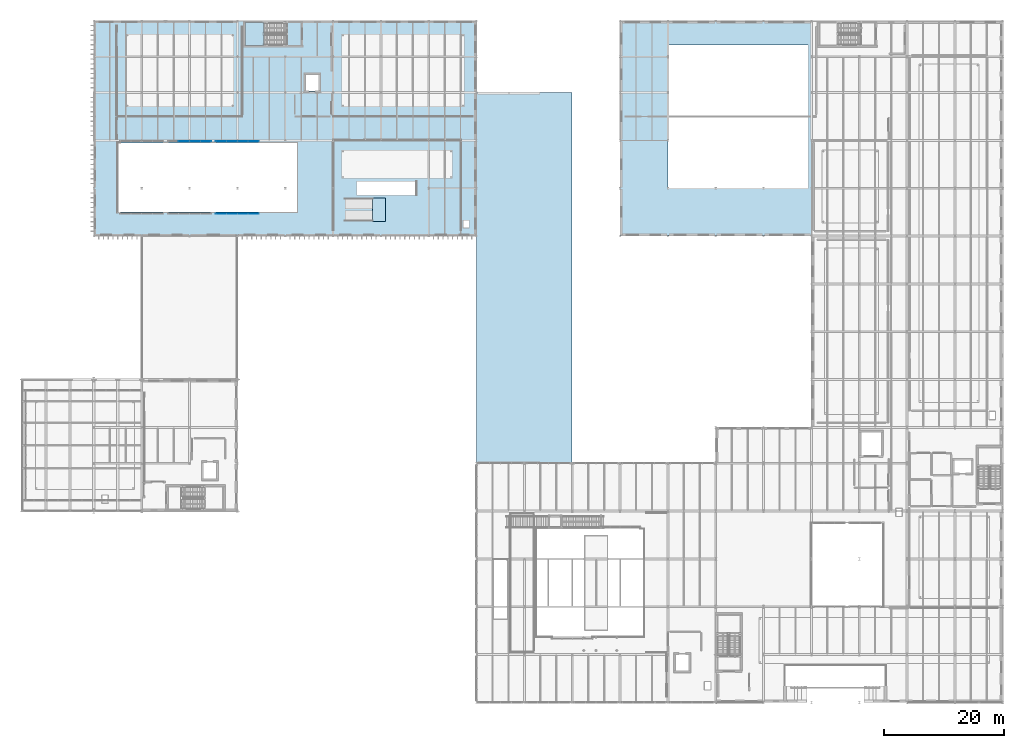
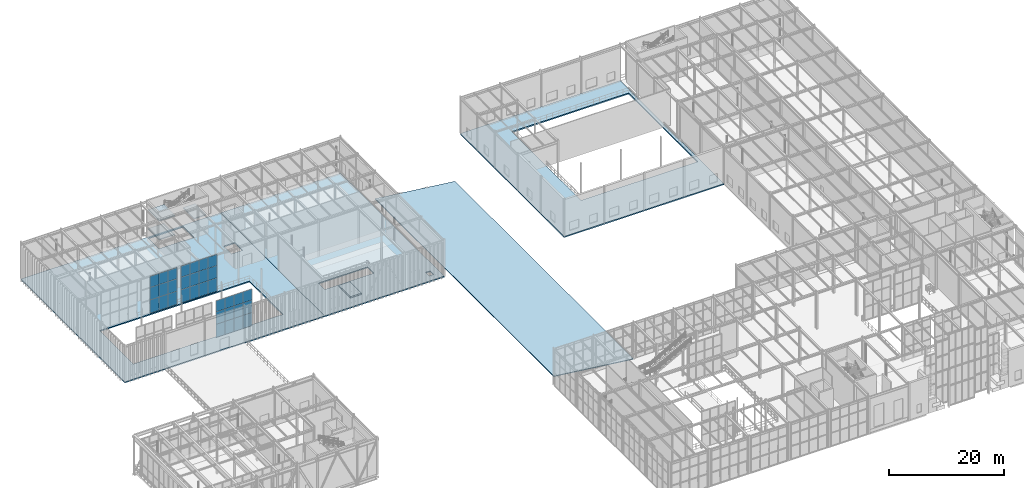
# One storey, part 78 of 138: 33 plates, 8 slabs, 6 elements without a shape of their own.
"""IFC4 building model written with IfcOpenShell, lengths in metres."""

import ifcopenshell
import ifcopenshell.guid

model = None  # the IFC model being written
_history = None  # IfcOwnerHistory: only IFC2X3 demands one
_inside = {}  # id of a spatial element -> (the spatial element, [elements in it])
_under = {}  # id of a project, library or spatial element -> (it, [spatial elements below it])
_declared = {}  # id of a project -> (the project, [libraries it declares])
_typed = {}  # id of a type object -> (the type object, [elements of that type])
_made_of = {}  # id of a material, layer set ... -> (it, [elements and type objects made of it])


def new_model(schema):
    """Start an empty IFC model of exactly this schema.

    Asked for "IFC4X3", IfcOpenShell would pick the latest addendum, in which some entities
    have other attributes; the version numbers below select the first issue.
    IFC2X3 requires an IfcOwnerHistory on every rooted entity: one is made here for all.
    """
    global model, _history
    if schema == "IFC4X3":
        model = ifcopenshell.file(schema_version=(4, 3, 0, 0))
    else:
        model = ifcopenshell.file(schema=schema)
    _inside.clear()
    _under.clear()
    _declared.clear()
    _typed.clear()
    _made_of.clear()
    _history = None
    if model.schema == "IFC2X3":
        org = make("IfcOrganization", Name="unknown")
        user = make(
            "IfcPersonAndOrganization",
            ThePerson=make("IfcPerson", FamilyName="unknown"),
            TheOrganization=org,
        )
        app = make(
            "IfcApplication",
            ApplicationDeveloper=org,
            Version="unknown",
            ApplicationFullName="unknown",
            ApplicationIdentifier="unknown",
        )
        _history = make(
            "IfcOwnerHistory",
            OwningUser=user,
            OwningApplication=app,
            ChangeAction="ADDED",
            CreationDate=0,
        )
    return model


def make(cls, **values):
    """One entity of the class cls with the attributes given. An attribute that is None is left unset."""
    return model.create_entity(
        cls, **{name: value for name, value in values.items() if value is not None}
    )


def rooted(cls, **values):
    """An entity with a GlobalId (a new one), such as an element, a storey or a relation."""
    return make(cls, GlobalId=ifcopenshell.guid.new(), OwnerHistory=_history, **values)


def si_unit(unit_type, name, prefix=None):
    """IfcSIUnit, for example si_unit("LENGTHUNIT", "METRE", prefix="MILLI")."""
    return make("IfcSIUnit", UnitType=unit_type, Prefix=prefix, Name=name)


def assignment(units):
    """IfcUnitAssignment: the units of a project."""
    return None if units is None else make("IfcUnitAssignment", Units=units)


def point(xyz):
    """IfcCartesianPoint."""
    return None if xyz is None else make("IfcCartesianPoint", Coordinates=xyz)


def direction(xyz):
    """IfcDirection."""
    return None if xyz is None else make("IfcDirection", DirectionRatios=xyz)


def frame(location, z_axis=None, x_axis=None):
    """IfcAxis2Placement3D, a coordinate frame: its origin and axes. An axis left out is left unset."""
    return make(
        "IfcAxis2Placement3D",
        Location=point(location),
        Axis=direction(z_axis),
        RefDirection=direction(x_axis),
    )


def frame_2d(location, x_axis=None):
    """IfcAxis2Placement2D, a coordinate frame in the plane: its origin and x axis."""
    return make(
        "IfcAxis2Placement2D", Location=point(location), RefDirection=direction(x_axis)
    )


def origin():
    """The frame at (0, 0, 0) with its axes left unset."""
    return frame((0.0, 0.0, 0.0))


def origin_2d():
    """The frame at (0, 0) in the plane with its x axis left unset."""
    return frame_2d((0.0, 0.0))


def place(relative_to, where):
    """IfcLocalPlacement: puts the frame where relative to a parent placement (None: the world)."""
    return make(
        "IfcLocalPlacement", PlacementRelTo=relative_to, RelativePlacement=where
    )


def context(
    kind, dimensions, precision=None, world=None, true_north=None, identifier=None
):
    """IfcGeometricRepresentationContext, for example the 3D "Model" context."""
    return make(
        "IfcGeometricRepresentationContext",
        ContextIdentifier=identifier,
        ContextType=kind,
        CoordinateSpaceDimension=dimensions,
        Precision=precision,
        WorldCoordinateSystem=world,
        TrueNorth=true_north,
    )


def subcontext(parent, identifier, kind, view, scale=None):
    """IfcGeometricRepresentationSubContext, for example "Body" below "Model"."""
    return make(
        "IfcGeometricRepresentationSubContext",
        ContextIdentifier=identifier,
        ContextType=kind,
        ParentContext=parent,
        TargetScale=scale,
        TargetView=view,
    )


def project(units=None, contexts=None):
    """IfcProject with its units and contexts."""
    return rooted(
        "IfcProject",
        Name="project",
        RepresentationContexts=contexts,
        UnitsInContext=assignment(units),
    )


def spatial(cls, under=None, at=None, **own):
    """A site, building, storey or space (cls), placed at a placement, below another one or the project."""
    s = rooted(cls, ObjectPlacement=at, **own)
    if under is not None:
        _under.setdefault(under.id(), (under, []))[1].append(s)
    return s


def polyline(points):
    """IfcPolyline through the points."""
    return make("IfcPolyline", Points=[point(p) for p in points])


def profile(cls, at=None, kind="AREA", **sizes):
    """A parametric profile (cls). Its sizes go by their IFC names, for example OverallWidth=200.0."""
    return make(cls, ProfileType=kind, Position=at, **sizes)


def rectangle(**sizes):
    """IfcRectangleProfileDef."""
    return profile("IfcRectangleProfileDef", **sizes)


def outline(outer, holes=None, kind="AREA"):
    """IfcArbitraryClosedProfileDef: a profile drawn as a closed curve; with holes, ...WithVoids."""
    if holes is None:
        return make("IfcArbitraryClosedProfileDef", ProfileType=kind, OuterCurve=outer)
    return make(
        "IfcArbitraryProfileDefWithVoids",
        ProfileType=kind,
        OuterCurve=outer,
        InnerCurves=holes,
    )


def extrude(swept, where, along, depth):
    """IfcExtrudedAreaSolid: the profile swept, set in the frame where, extruded along a direction by depth."""
    return make(
        "IfcExtrudedAreaSolid",
        SweptArea=swept,
        Position=where,
        ExtrudedDirection=direction(along),
        Depth=depth,
    )


def shape(context_of_items, identifier, shape_type, items):
    """IfcShapeRepresentation: the items that make up one representation, for example the "Body"."""
    return make(
        "IfcShapeRepresentation",
        ContextOfItems=context_of_items,
        RepresentationIdentifier=identifier,
        RepresentationType=shape_type,
        Items=items,
    )


def material(Name=None, Category=None):
    """IfcMaterial."""
    return make("IfcMaterial", Name=Name, Category=Category)


def layer(
    of_material, thickness, ventilated=None, Name=None, Category=None, Priority=None
):
    """IfcMaterialLayer: one layer of a wall or slab, of a material (None: an air gap)."""
    return make(
        "IfcMaterialLayer",
        Material=of_material,
        LayerThickness=thickness,
        IsVentilated=ventilated,
        Name=Name,
        Category=Category,
        Priority=Priority,
    )


def layer_set(layers, Name=None):
    """IfcMaterialLayerSet."""
    return make("IfcMaterialLayerSet", MaterialLayers=layers, LayerSetName=Name)


def made_of(thing, what):
    """Note that an element or type object is made of a material, layer set ...; save() writes the relation."""
    if what is not None:
        _made_of.setdefault(what.id(), (what, []))[1].append(thing)
    return thing


def type_object(cls, material=None, **own):
    """A type object (cls), such as IfcWallType, which elements share."""
    return made_of(rooted(cls, **own), material)


def element(
    cls,
    number,
    at=None,
    inside=None,
    cuts=None,
    type_object=None,
    material=None,
    context=None,
    identifier="Body",
    shape_type=None,
    held_by="IfcProductDefinitionShape",
    body=None,
    shapes=None,
    **own,
):
    """One element of the class cls, such as IfcWall. Its Tag is "e" and its number.

    at: its placement. inside: the storey or other place that contains it. cuts: it is an
    opening in that element (IfcRelVoidsElement). A single representation is given by context,
    identifier, shape_type and body (its items); several are given by shapes. held_by: the class
    of the entity that holds the representations. save() writes the other relations.
    """
    e = rooted(cls, Tag="e%d" % number, ObjectPlacement=at, **own)
    if body is not None:
        shapes = [shape(context, identifier, shape_type, body)]
    if shapes is not None:
        e.Representation = make(held_by, Representations=shapes)
    if inside is not None:
        _inside.setdefault(inside.id(), (inside, []))[1].append(e)
    if cuts is not None:
        rooted(
            "IfcRelVoidsElement", RelatingBuildingElement=cuts, RelatedOpeningElement=e
        )
    if type_object is not None:
        _typed.setdefault(type_object.id(), (type_object, []))[1].append(e)
    return made_of(e, material)


def aggregate(whole, parts):
    """IfcRelAggregates: a whole, such as a stair, and the parts it consists of."""
    return rooted("IfcRelAggregates", RelatingObject=whole, RelatedObjects=parts)


def save(model, path):
    """Write the relations noted so far, then the file.

    IfcRelAggregates (storeys below a building ...), IfcRelContainedInSpatialStructure (elements
    in a storey), IfcRelDefinesByType, IfcRelAssociatesMaterial and IfcRelDeclares: one each for
    every whole, place, type object, material and project.
    """
    for whole, parts in _under.values():
        aggregate(whole, parts)
    for where, things in _inside.values():
        rooted(
            "IfcRelContainedInSpatialStructure",
            RelatedElements=things,
            RelatingStructure=where,
        )
    for kind, things in _typed.values():
        rooted("IfcRelDefinesByType", RelatedObjects=things, RelatingType=kind)
    for what, things in _made_of.values():
        rooted("IfcRelAssociatesMaterial", RelatedObjects=things, RelatingMaterial=what)
    for by, libraries in _declared.values():
        rooted("IfcRelDeclares", RelatingContext=by, RelatedDefinitions=libraries)
    model.write(path)


model = new_model("IFC4")

# Units and contexts
model_context = context("Model", 3, precision=1e-05, world=origin(), true_north=direction((0.0, 1.0)))
body_context = subcontext(model_context, "Body", "Model", "MODEL_VIEW")
ifc_project = project(units=[si_unit("LENGTHUNIT", "METRE"), si_unit("AREAUNIT", "SQUARE_METRE"), si_unit("VOLUMEUNIT", "CUBIC_METRE"), si_unit("PLANEANGLEUNIT", "RADIAN"), si_unit("MASSUNIT", "GRAM", prefix="KILO")], contexts=[model_context])

# Site, building, storey
site_placement = place(None, origin())
site = spatial("IfcSite", under=ifc_project, at=site_placement, CompositionType="ELEMENT")
building_placement = place(site_placement, origin())
building = spatial("IfcBuilding", under=site, at=building_placement, Name="Sundkrona Museum", CompositionType="ELEMENT")
storey_placement = place(building_placement, frame((0.0, 0.0, 9.60009765625)))
storey = spatial("IfcBuildingStorey", under=building, at=storey_placement, Name="L02", CompositionType="ELEMENT", Elevation=9.60009765625)

# Curtain wall, plates
ifc_material_1 = material(Name="Unitised Aluminium-Steel and Ceramic-Clad Curtain Walling", Category="steel")
curtain_wall_type = type_object("IfcCurtainWallType", Name="CW-CL-64x48", PredefinedType="NOTDEFINED", material=ifc_material_1)
curtain_wall_1_placement = place(storey_placement, origin())
curtain_wall_1 = element("IfcCurtainWall", 1, at=curtain_wall_1_placement, inside=storey, type_object=curtain_wall_type, Name="L02 Curtain Wall CW-L02-133", PredefinedType="NOTDEFINED")
ifc_material_2 = material(Name="Triple Low-E Vision Glazing 32 mm", Category="glass")
ifc_layer_1 = layer(ifc_material_2, 0.031982421875)
ifc_layer_set_1 = layer_set([ifc_layer_1], Name="Triple Low-E Vision Glazing 32 mm")
plate_type = type_object("IfcPlateType", Name="PN-GL-01", PredefinedType="CURTAIN_PANEL", material=ifc_layer_set_1)
plate_1_placement = place(storey_placement, frame((31.10009765625, 93.85009765625, -0.00390625), z_axis=(0.0, 0.0, 1.0), x_axis=(1.0, 0.0, 0.0)))
plate_1 = element("IfcPlate", 2, at=plate_1_placement, type_object=plate_type, Name="CW-L02-133 Panel 04", PredefinedType="CURTAIN_PANEL", context=body_context, shape_type="SweptSolid", body=[
    extrude(rectangle(XDim=1.800048828125, YDim=0.031982421875, at=origin_2d()), origin(), (0.0, 0.0, 1.0), 2.798095703125),
])
plate_2_placement = place(storey_placement, frame((31.10009765625, 93.85009765625, 2.7939453125), z_axis=(0.0, 0.0, 1.0), x_axis=(1.0, 0.0, 0.0)))
plate_2 = element("IfcPlate", 3, at=plate_2_placement, type_object=plate_type, Name="CW-L02-133 Panel 05", PredefinedType="CURTAIN_PANEL", context=body_context, shape_type="SweptSolid", body=[
    extrude(rectangle(XDim=1.800048828125, YDim=0.031982421875, at=origin_2d()), origin(), (0.0, 0.0, 1.0), 2.637939453125),
])
plate_3_placement = place(storey_placement, frame((31.10009765625, 93.85009765625, 5.431884765625), z_axis=(0.0, 0.0, 1.0), x_axis=(1.0, 0.0, 0.0)))
plate_3 = element("IfcPlate", 4, at=plate_3_placement, type_object=plate_type, Name="CW-L02-133 Panel 06", PredefinedType="CURTAIN_PANEL", context=body_context, shape_type="SweptSolid", body=[
    extrude(rectangle(XDim=1.800048828125, YDim=0.031982421875, at=origin_2d()), origin(), (0.0, 0.0, 1.0), 2.33203125),
])
plate_4_placement = place(storey_placement, frame((32.89990234375, 93.85009765625, -0.00390625), z_axis=(0.0, 0.0, 1.0), x_axis=(1.0, 0.0, 0.0)))
plate_4 = element("IfcPlate", 5, at=plate_4_placement, type_object=plate_type, Name="CW-L02-133 Panel 07", PredefinedType="CURTAIN_PANEL", context=body_context, shape_type="SweptSolid", body=[
    extrude(rectangle(XDim=1.800048828125, YDim=0.031982421875, at=origin_2d()), origin(), (0.0, 0.0, 1.0), 2.798095703125),
])
plate_5_placement = place(storey_placement, frame((32.89990234375, 93.85009765625, 2.7939453125), z_axis=(0.0, 0.0, 1.0), x_axis=(1.0, 0.0, 0.0)))
plate_5 = element("IfcPlate", 6, at=plate_5_placement, type_object=plate_type, Name="CW-L02-133 Panel 08", PredefinedType="CURTAIN_PANEL", context=body_context, shape_type="SweptSolid", body=[
    extrude(rectangle(XDim=1.800048828125, YDim=0.031982421875, at=origin_2d()), origin(), (0.0, 0.0, 1.0), 2.637939453125),
])
plate_6_placement = place(storey_placement, frame((32.89990234375, 93.85009765625, 5.431884765625), z_axis=(0.0, 0.0, 1.0), x_axis=(1.0, 0.0, 0.0)))
plate_6 = element("IfcPlate", 7, at=plate_6_placement, type_object=plate_type, Name="CW-L02-133 Panel 09", PredefinedType="CURTAIN_PANEL", context=body_context, shape_type="SweptSolid", body=[
    extrude(rectangle(XDim=1.800048828125, YDim=0.031982421875, at=origin_2d()), origin(), (0.0, 0.0, 1.0), 2.33203125),
])
plate_7_placement = place(storey_placement, frame((34.699951171875, 93.85009765625, -0.00390625), z_axis=(0.0, 0.0, 1.0), x_axis=(1.0, 0.0, 0.0)))
plate_7 = element("IfcPlate", 8, at=plate_7_placement, type_object=plate_type, Name="CW-L02-133 Panel 10", PredefinedType="CURTAIN_PANEL", context=body_context, shape_type="SweptSolid", body=[
    extrude(rectangle(XDim=1.800048828125, YDim=0.031982421875, at=origin_2d()), origin(), (0.0, 0.0, 1.0), 2.798095703125),
])
plate_8_placement = place(storey_placement, frame((34.699951171875, 93.85009765625, 2.7939453125), z_axis=(0.0, 0.0, 1.0), x_axis=(1.0, 0.0, 0.0)))
plate_8 = element("IfcPlate", 9, at=plate_8_placement, type_object=plate_type, Name="CW-L02-133 Panel 11", PredefinedType="CURTAIN_PANEL", context=body_context, shape_type="SweptSolid", body=[
    extrude(rectangle(XDim=1.800048828125, YDim=0.031982421875, at=origin_2d()), origin(), (0.0, 0.0, 1.0), 2.637939453125),
])
plate_9_placement = place(storey_placement, frame((34.699951171875, 93.85009765625, 5.431884765625), z_axis=(0.0, 0.0, 1.0), x_axis=(1.0, 0.0, 0.0)))
plate_9 = element("IfcPlate", 10, at=plate_9_placement, type_object=plate_type, Name="CW-L02-133 Panel 12", PredefinedType="CURTAIN_PANEL", context=body_context, shape_type="SweptSolid", body=[
    extrude(rectangle(XDim=1.800048828125, YDim=0.031982421875, at=origin_2d()), origin(), (0.0, 0.0, 1.0), 2.33203125),
])
aggregate(curtain_wall_1, [plate_1, plate_2, plate_3, plate_4, plate_5, plate_6, plate_7, plate_8, plate_9])

curtain_wall_2_placement = place(storey_placement, origin())
curtain_wall_2 = element("IfcCurtainWall", 11, at=curtain_wall_2_placement, inside=storey, type_object=curtain_wall_type, Name="L02 Curtain Wall CW-L02-134", PredefinedType="NOTDEFINED")
plate_10_placement = place(storey_placement, frame((37.300048828125, 81.75, -0.00390625), z_axis=(0.0, 0.0, 1.0), x_axis=(1.0, 0.0, 0.0)))
plate_10 = element("IfcPlate", 12, at=plate_10_placement, type_object=plate_type, Name="CW-L02-134 Panel 01", PredefinedType="CURTAIN_PANEL", context=body_context, shape_type="SweptSolid", body=[
    extrude(rectangle(XDim=1.800048828125, YDim=0.031982421875, at=origin_2d()), origin(), (0.0, 0.0, 1.0), 2.798095703125),
])
plate_11_placement = place(storey_placement, frame((37.300048828125, 81.75, 2.7939453125), z_axis=(0.0, 0.0, 1.0), x_axis=(1.0, 0.0, 0.0)))
plate_11 = element("IfcPlate", 13, at=plate_11_placement, type_object=plate_type, Name="CW-L02-134 Panel 02", PredefinedType="CURTAIN_PANEL", context=body_context, shape_type="SweptSolid", body=[
    extrude(rectangle(XDim=1.800048828125, YDim=0.031982421875, at=origin_2d()), origin(), (0.0, 0.0, 1.0), 2.637939453125),
])
plate_12_placement = place(storey_placement, frame((37.300048828125, 81.75, 5.431884765625), z_axis=(0.0, 0.0, 1.0), x_axis=(1.0, 0.0, 0.0)))
plate_12 = element("IfcPlate", 14, at=plate_12_placement, type_object=plate_type, Name="CW-L02-134 Panel 03", PredefinedType="CURTAIN_PANEL", context=body_context, shape_type="SweptSolid", body=[
    extrude(rectangle(XDim=1.800048828125, YDim=0.031982421875, at=origin_2d()), origin(), (0.0, 0.0, 1.0), 2.33203125),
])
plate_13_placement = place(storey_placement, frame((39.10009765625, 81.75, -0.00390625), z_axis=(0.0, 0.0, 1.0), x_axis=(1.0, 0.0, 0.0)))
plate_13 = element("IfcPlate", 15, at=plate_13_placement, type_object=plate_type, Name="CW-L02-134 Panel 04", PredefinedType="CURTAIN_PANEL", context=body_context, shape_type="SweptSolid", body=[
    extrude(rectangle(XDim=1.800048828125, YDim=0.031982421875, at=origin_2d()), origin(), (0.0, 0.0, 1.0), 2.798095703125),
])
plate_14_placement = place(storey_placement, frame((39.10009765625, 81.75, 2.7939453125), z_axis=(0.0, 0.0, 1.0), x_axis=(1.0, 0.0, 0.0)))
plate_14 = element("IfcPlate", 16, at=plate_14_placement, type_object=plate_type, Name="CW-L02-134 Panel 05", PredefinedType="CURTAIN_PANEL", context=body_context, shape_type="SweptSolid", body=[
    extrude(rectangle(XDim=1.800048828125, YDim=0.031982421875, at=origin_2d()), origin(), (0.0, 0.0, 1.0), 2.637939453125),
])
plate_15_placement = place(storey_placement, frame((39.10009765625, 81.75, 5.431884765625), z_axis=(0.0, 0.0, 1.0), x_axis=(1.0, 0.0, 0.0)))
plate_15 = element("IfcPlate", 17, at=plate_15_placement, type_object=plate_type, Name="CW-L02-134 Panel 06", PredefinedType="CURTAIN_PANEL", context=body_context, shape_type="SweptSolid", body=[
    extrude(rectangle(XDim=1.800048828125, YDim=0.031982421875, at=origin_2d()), origin(), (0.0, 0.0, 1.0), 2.33203125),
])
plate_16_placement = place(storey_placement, frame((40.89990234375, 81.75, -0.00390625), z_axis=(0.0, 0.0, 1.0), x_axis=(1.0, 0.0, 0.0)))
plate_16 = element("IfcPlate", 18, at=plate_16_placement, type_object=plate_type, Name="CW-L02-134 Panel 07", PredefinedType="CURTAIN_PANEL", context=body_context, shape_type="SweptSolid", body=[
    extrude(rectangle(XDim=1.800048828125, YDim=0.031982421875, at=origin_2d()), origin(), (0.0, 0.0, 1.0), 2.798095703125),
])
plate_17_placement = place(storey_placement, frame((40.89990234375, 81.75, 2.7939453125), z_axis=(0.0, 0.0, 1.0), x_axis=(1.0, 0.0, 0.0)))
plate_17 = element("IfcPlate", 19, at=plate_17_placement, type_object=plate_type, Name="CW-L02-134 Panel 08", PredefinedType="CURTAIN_PANEL", context=body_context, shape_type="SweptSolid", body=[
    extrude(rectangle(XDim=1.800048828125, YDim=0.031982421875, at=origin_2d()), origin(), (0.0, 0.0, 1.0), 2.637939453125),
])
plate_18_placement = place(storey_placement, frame((40.89990234375, 81.75, 5.431884765625), z_axis=(0.0, 0.0, 1.0), x_axis=(1.0, 0.0, 0.0)))
plate_18 = element("IfcPlate", 20, at=plate_18_placement, type_object=plate_type, Name="CW-L02-134 Panel 09", PredefinedType="CURTAIN_PANEL", context=body_context, shape_type="SweptSolid", body=[
    extrude(rectangle(XDim=1.800048828125, YDim=0.031982421875, at=origin_2d()), origin(), (0.0, 0.0, 1.0), 2.33203125),
])
plate_19_placement = place(storey_placement, frame((42.699951171875, 81.75, -0.00390625), z_axis=(0.0, 0.0, 1.0), x_axis=(1.0, 0.0, 0.0)))
plate_19 = element("IfcPlate", 21, at=plate_19_placement, type_object=plate_type, Name="CW-L02-134 Panel 10", PredefinedType="CURTAIN_PANEL", context=body_context, shape_type="SweptSolid", body=[
    extrude(rectangle(XDim=1.800048828125, YDim=0.031982421875, at=origin_2d()), origin(), (0.0, 0.0, 1.0), 2.798095703125),
])
plate_20_placement = place(storey_placement, frame((42.699951171875, 81.75, 2.7939453125), z_axis=(0.0, 0.0, 1.0), x_axis=(1.0, 0.0, 0.0)))
plate_20 = element("IfcPlate", 22, at=plate_20_placement, type_object=plate_type, Name="CW-L02-134 Panel 11", PredefinedType="CURTAIN_PANEL", context=body_context, shape_type="SweptSolid", body=[
    extrude(rectangle(XDim=1.800048828125, YDim=0.031982421875, at=origin_2d()), origin(), (0.0, 0.0, 1.0), 2.637939453125),
])
plate_21_placement = place(storey_placement, frame((42.699951171875, 81.75, 5.431884765625), z_axis=(0.0, 0.0, 1.0), x_axis=(1.0, 0.0, 0.0)))
plate_21 = element("IfcPlate", 23, at=plate_21_placement, type_object=plate_type, Name="CW-L02-134 Panel 12", PredefinedType="CURTAIN_PANEL", context=body_context, shape_type="SweptSolid", body=[
    extrude(rectangle(XDim=1.800048828125, YDim=0.031982421875, at=origin_2d()), origin(), (0.0, 0.0, 1.0), 2.33203125),
])
aggregate(curtain_wall_2, [plate_10, plate_11, plate_12, plate_13, plate_14, plate_15, plate_16, plate_17, plate_18, plate_19, plate_20, plate_21])

curtain_wall_3_placement = place(storey_placement, origin())
curtain_wall_3 = element("IfcCurtainWall", 24, at=curtain_wall_3_placement, inside=storey, type_object=curtain_wall_type, Name="L02 Curtain Wall CW-L02-135", PredefinedType="NOTDEFINED")
plate_22_placement = place(storey_placement, frame((37.300048828125, 93.85009765625, -0.00390625), z_axis=(0.0, 0.0, 1.0), x_axis=(1.0, 0.0, 0.0)))
plate_22 = element("IfcPlate", 25, at=plate_22_placement, type_object=plate_type, Name="CW-L02-135 Panel 01", PredefinedType="CURTAIN_PANEL", context=body_context, shape_type="SweptSolid", body=[
    extrude(rectangle(XDim=1.800048828125, YDim=0.031982421875, at=origin_2d()), origin(), (0.0, 0.0, 1.0), 2.798095703125),
])
plate_23_placement = place(storey_placement, frame((37.300048828125, 93.85009765625, 2.7939453125), z_axis=(0.0, 0.0, 1.0), x_axis=(1.0, 0.0, 0.0)))
plate_23 = element("IfcPlate", 26, at=plate_23_placement, type_object=plate_type, Name="CW-L02-135 Panel 02", PredefinedType="CURTAIN_PANEL", context=body_context, shape_type="SweptSolid", body=[
    extrude(rectangle(XDim=1.800048828125, YDim=0.031982421875, at=origin_2d()), origin(), (0.0, 0.0, 1.0), 2.637939453125),
])
plate_24_placement = place(storey_placement, frame((37.300048828125, 93.85009765625, 5.431884765625), z_axis=(0.0, 0.0, 1.0), x_axis=(1.0, 0.0, 0.0)))
plate_24 = element("IfcPlate", 27, at=plate_24_placement, type_object=plate_type, Name="CW-L02-135 Panel 03", PredefinedType="CURTAIN_PANEL", context=body_context, shape_type="SweptSolid", body=[
    extrude(rectangle(XDim=1.800048828125, YDim=0.031982421875, at=origin_2d()), origin(), (0.0, 0.0, 1.0), 2.33203125),
])
plate_25_placement = place(storey_placement, frame((39.10009765625, 93.85009765625, -0.00390625), z_axis=(0.0, 0.0, 1.0), x_axis=(1.0, 0.0, 0.0)))
plate_25 = element("IfcPlate", 28, at=plate_25_placement, type_object=plate_type, Name="CW-L02-135 Panel 04", PredefinedType="CURTAIN_PANEL", context=body_context, shape_type="SweptSolid", body=[
    extrude(rectangle(XDim=1.800048828125, YDim=0.031982421875, at=origin_2d()), origin(), (0.0, 0.0, 1.0), 2.798095703125),
])
plate_26_placement = place(storey_placement, frame((39.10009765625, 93.85009765625, 2.7939453125), z_axis=(0.0, 0.0, 1.0), x_axis=(1.0, 0.0, 0.0)))
plate_26 = element("IfcPlate", 29, at=plate_26_placement, type_object=plate_type, Name="CW-L02-135 Panel 05", PredefinedType="CURTAIN_PANEL", context=body_context, shape_type="SweptSolid", body=[
    extrude(rectangle(XDim=1.800048828125, YDim=0.031982421875, at=origin_2d()), origin(), (0.0, 0.0, 1.0), 2.637939453125),
])
plate_27_placement = place(storey_placement, frame((39.10009765625, 93.85009765625, 5.431884765625), z_axis=(0.0, 0.0, 1.0), x_axis=(1.0, 0.0, 0.0)))
plate_27 = element("IfcPlate", 30, at=plate_27_placement, type_object=plate_type, Name="CW-L02-135 Panel 06", PredefinedType="CURTAIN_PANEL", context=body_context, shape_type="SweptSolid", body=[
    extrude(rectangle(XDim=1.800048828125, YDim=0.031982421875, at=origin_2d()), origin(), (0.0, 0.0, 1.0), 2.33203125),
])
plate_28_placement = place(storey_placement, frame((40.89990234375, 93.85009765625, -0.00390625), z_axis=(0.0, 0.0, 1.0), x_axis=(1.0, 0.0, 0.0)))
plate_28 = element("IfcPlate", 31, at=plate_28_placement, type_object=plate_type, Name="CW-L02-135 Panel 07", PredefinedType="CURTAIN_PANEL", context=body_context, shape_type="SweptSolid", body=[
    extrude(rectangle(XDim=1.800048828125, YDim=0.031982421875, at=origin_2d()), origin(), (0.0, 0.0, 1.0), 2.798095703125),
])
plate_29_placement = place(storey_placement, frame((40.89990234375, 93.85009765625, 2.7939453125), z_axis=(0.0, 0.0, 1.0), x_axis=(1.0, 0.0, 0.0)))
plate_29 = element("IfcPlate", 32, at=plate_29_placement, type_object=plate_type, Name="CW-L02-135 Panel 08", PredefinedType="CURTAIN_PANEL", context=body_context, shape_type="SweptSolid", body=[
    extrude(rectangle(XDim=1.800048828125, YDim=0.031982421875, at=origin_2d()), origin(), (0.0, 0.0, 1.0), 2.637939453125),
])
plate_30_placement = place(storey_placement, frame((40.89990234375, 93.85009765625, 5.431884765625), z_axis=(0.0, 0.0, 1.0), x_axis=(1.0, 0.0, 0.0)))
plate_30 = element("IfcPlate", 33, at=plate_30_placement, type_object=plate_type, Name="CW-L02-135 Panel 09", PredefinedType="CURTAIN_PANEL", context=body_context, shape_type="SweptSolid", body=[
    extrude(rectangle(XDim=1.800048828125, YDim=0.031982421875, at=origin_2d()), origin(), (0.0, 0.0, 1.0), 2.33203125),
])
plate_31_placement = place(storey_placement, frame((42.699951171875, 93.85009765625, -0.00390625), z_axis=(0.0, 0.0, 1.0), x_axis=(1.0, 0.0, 0.0)))
plate_31 = element("IfcPlate", 34, at=plate_31_placement, type_object=plate_type, Name="CW-L02-135 Panel 10", PredefinedType="CURTAIN_PANEL", context=body_context, shape_type="SweptSolid", body=[
    extrude(rectangle(XDim=1.800048828125, YDim=0.031982421875, at=origin_2d()), origin(), (0.0, 0.0, 1.0), 2.798095703125),
])
plate_32_placement = place(storey_placement, frame((42.699951171875, 93.85009765625, 2.7939453125), z_axis=(0.0, 0.0, 1.0), x_axis=(1.0, 0.0, 0.0)))
plate_32 = element("IfcPlate", 35, at=plate_32_placement, type_object=plate_type, Name="CW-L02-135 Panel 11", PredefinedType="CURTAIN_PANEL", context=body_context, shape_type="SweptSolid", body=[
    extrude(rectangle(XDim=1.800048828125, YDim=0.031982421875, at=origin_2d()), origin(), (0.0, 0.0, 1.0), 2.637939453125),
])
plate_33_placement = place(storey_placement, frame((42.699951171875, 93.85009765625, 5.431884765625), z_axis=(0.0, 0.0, 1.0), x_axis=(1.0, 0.0, 0.0)))
plate_33 = element("IfcPlate", 36, at=plate_33_placement, type_object=plate_type, Name="CW-L02-135 Panel 12", PredefinedType="CURTAIN_PANEL", context=body_context, shape_type="SweptSolid", body=[
    extrude(rectangle(XDim=1.800048828125, YDim=0.031982421875, at=origin_2d()), origin(), (0.0, 0.0, 1.0), 2.33203125),
])
aggregate(curtain_wall_3, [plate_22, plate_23, plate_24, plate_25, plate_26, plate_27, plate_28, plate_29, plate_30, plate_31, plate_32, plate_33])

# Roof, slab
ifc_material_3 = material(Name="Patinated Copper and Composite Steel-Concrete", Category="concrete")
ifc_layer_2 = layer(ifc_material_3, 0.179931640625)
ifc_layer_set_2 = layer_set([ifc_layer_2], Name="Patinated Copper and Composite Steel-Concrete")
roof_type = type_object("IfcRoofType", Name="ROOF-PAV", PredefinedType="PAVILION_ROOF", material=ifc_layer_set_2)
roof_placement = place(storey_placement, origin())
roof = element("IfcRoof", 37, at=roof_placement, inside=storey, type_object=roof_type, Name="Covered Public Passage Arcade Roof", PredefinedType="PAVILION_ROOF")
ifc_material_4 = material(Name="Concrete C35/45", Category="concrete")
ifc_layer_3 = layer(ifc_material_4, 0.139892578125)
ifc_layer_set_3 = layer_set([ifc_layer_3], Name="Concrete C35/45")
slab_type_1 = type_object("IfcSlabType", Name="SL-CN-140", PredefinedType="ROOF", material=ifc_layer_set_3)
slab_1_placement = place(storey_placement, frame((80.0, 40.0, 1.869873046875), z_axis=(0.119140441403, 0.0, 0.992877411981), x_axis=(0.992877411981, 0.0, -0.119140441403)))
slab_1 = element("IfcSlab", 38, at=slab_1_placement, type_object=slab_type_1, Name="Covered Public Passage Arcade Roof", PredefinedType="ROOF", context=body_context, shape_type="SweptSolid", body=[
    extrude(outline(polyline([(0.0, 0.0), (16.114778931344468, 0.0), (16.114778931344468, 62.0), (0.0, 62.0), (0.0, 0.0)])), origin(), (0.0, 0.0, -1.0), 0.139892578125),
])
aggregate(roof, [slab_1])

# Slabs
ifc_layer_4 = layer(ifc_material_4, 0.239990234375)
ifc_layer_set_4 = layer_set([ifc_layer_4], Name="Concrete C35/45")
slab_type_2 = type_object("IfcSlabType", Name="SL-FL-240", PredefinedType="FLOOR", material=ifc_layer_set_4)
slab_2_placement = place(storey_placement, frame((0.0, 0.0, -0.239990234375)))
element("IfcSlab", 39, at=slab_2_placement, inside=storey, type_object=slab_type_2, Name="L02 Standard composite gallery floor slab 240 mm (SL-L02-V3W)", PredefinedType="FLOOR", context=body_context, shape_type="SweptSolid", body=[
    extrude(outline(polyline([(16.0, 78.0), (56.0, 78.0), (56.0, 114.0), (16.0, 114.0), (16.0, 78.0)]), holes=[polyline([(53.60009765625, 102.300048828125), (51.39990234375, 102.300048828125), (51.39990234375, 105.0), (53.60009765625, 105.0), (53.60009765625, 102.300048828125)]), polyline([(20.0, 93.60009765625), (50.0, 93.60009765625), (50.0, 82.0), (20.0, 82.0), (20.0, 93.60009765625)]), polyline([(41.324951171875, 113.675048828125), (48.27490234375, 113.675048828125), (48.27490234375, 109.925048828125), (41.324951171875, 109.925048828125), (41.324951171875, 113.675048828125)])]), origin(), (0.0, 0.0, 1.0), 0.239990234375),
])
slab_3_placement = place(storey_placement, frame((0.0, 0.0, -0.239990234375)))
element("IfcSlab", 40, at=slab_3_placement, inside=storey, type_object=slab_type_2, Name="L02 Standard composite gallery floor slab 240 mm (SL-L02-V3E)", PredefinedType="FLOOR", context=body_context, shape_type="SweptSolid", body=[
    extrude(outline(polyline([(56.0, 78.0), (80.0, 78.0), (80.0, 114.0), (56.0, 114.0), (56.0, 78.0)]), holes=[polyline([(77.800048828125, 80.60009765625), (78.699951171875, 80.60009765625), (78.699951171875, 79.39990234375), (77.800048828125, 79.39990234375), (77.800048828125, 80.60009765625)]), polyline([(60.02001953125, 87.10009765625), (69.8798828125, 87.10009765625), (69.8798828125, 84.89990234375), (60.02001953125, 84.89990234375), (60.02001953125, 87.10009765625)])]), origin(), (0.0, 0.0, 1.0), 0.239990234375),
])
ifc_layer_5 = layer(ifc_material_4, 0.260009765625)
ifc_layer_set_5 = layer_set([ifc_layer_5], Name="Concrete C35/45")
slab_type_3 = type_object("IfcSlabType", Name="SL-FL-260", PredefinedType="FLOOR", material=ifc_layer_set_5)
slab_4_placement = place(storey_placement, frame((0.0, 0.0, -0.260009765625)))
element("IfcSlab", 41, at=slab_4_placement, inside=storey, type_object=slab_type_3, Name="L02 Atrium and education composite floor slab 260 mm (SL-L02-V5W)", PredefinedType="FLOOR", context=body_context, shape_type="SweptSolid", body=[
    extrude(outline(polyline([(104.0, 78.0), (136.0, 78.0), (136.0, 114.0), (104.0, 114.0), (104.0, 78.0)]), holes=[polyline([(135.39990234375, 86.0), (112.0, 86.0), (112.0, 110.0), (135.39990234375, 110.0), (135.39990234375, 86.0)])]), origin(), (0.0, 0.0, 1.0), 0.260009765625),
])

# Stair, slabs
stair_type = type_object("IfcStairType", Name="ST-DL-800", PredefinedType="HALF_TURN_STAIR", material=ifc_material_4)
stair_placement = place(storey_placement, origin())
stair = element("IfcStair", 42, at=stair_placement, inside=storey, type_object=stair_type, Name="L02 Protected Stair Core ST-3", PredefinedType="HALF_TURN_STAIR")
ifc_layer_6 = layer(ifc_material_4, 0.219970703125)
ifc_layer_set_6 = layer_set([ifc_layer_6], Name="Concrete C35/45")
slab_type_4 = type_object("IfcSlabType", Name="SL-LN-220", PredefinedType="LANDING", material=ifc_layer_set_6)
slab_5_placement = place(storey_placement, frame((0.0, 0.0, 1.77978515625)))
slab_5 = element("IfcSlab", 43, at=slab_5_placement, type_object=slab_type_4, Name="L02 Protected Stair Core ST-3 Landing 1", PredefinedType="LANDING", context=body_context, shape_type="SweptSolid", body=[
    extrude(outline(polyline([(44.465087890625, 113.699951171875), (41.300048828125, 113.699951171875), (41.300048828125, 109.89990234375), (44.465087890625, 109.89990234375), (44.465087890625, 113.699951171875)])), origin(), (0.0, 0.0, 1.0), 0.22021484375),
])
slab_6_placement = place(storey_placement, frame((0.0, 0.0, 3.77978515625)))
slab_6 = element("IfcSlab", 44, at=slab_6_placement, type_object=slab_type_4, Name="L02 Protected Stair Core ST-3 Landing 2", PredefinedType="LANDING", context=body_context, shape_type="SweptSolid", body=[
    extrude(outline(polyline([(50.699951171875, 113.699951171875), (48.300048828125, 113.699951171875), (48.300048828125, 109.89990234375), (50.699951171875, 109.89990234375), (50.699951171875, 113.699951171875)])), origin(), (0.0, 0.0, 1.0), 0.22021484375),
])
slab_7_placement = place(storey_placement, frame((0.0, 0.0, 5.77978515625)))
slab_7 = element("IfcSlab", 45, at=slab_7_placement, type_object=slab_type_4, Name="L02 Protected Stair Core ST-3 Landing 3", PredefinedType="LANDING", context=body_context, shape_type="SweptSolid", body=[
    extrude(outline(polyline([(44.465087890625, 113.699951171875), (41.300048828125, 113.699951171875), (41.300048828125, 109.89990234375), (44.465087890625, 109.89990234375), (44.465087890625, 113.699951171875)])), origin(), (0.0, 0.0, 1.0), 0.22021484375),
])
aggregate(stair, [slab_5, slab_6, slab_7])

# Ramp, slab
ramp_type = type_object("IfcRampType", Name="RMP-ACC-180", PredefinedType="HALF_TURN_RAMP", material=ifc_material_4)
ramp_placement = place(storey_placement, origin())
ramp = element("IfcRamp", 46, at=ramp_placement, inside=storey, type_object=ramp_type, Name="L02 Accessible Gallery Dais Ramp RMP-05", PredefinedType="HALF_TURN_RAMP")
slab_8_placement = place(storey_placement, frame((0.0, 0.0, -0.02001953125)))
slab_8 = element("IfcSlab", 47, at=slab_8_placement, type_object=slab_type_4, Name="RMP-05 Accessible Dais Landing", PredefinedType="LANDING", context=body_context, shape_type="SweptSolid", body=[
    extrude(outline(polyline([(62.570068359375, 80.39990234375), (64.800048828125, 80.39990234375), (64.800048828125, 84.39990234375), (62.570068359375, 84.39990234375), (62.570068359375, 80.39990234375)])), origin(), (0.0, 0.0, 1.0), 0.2998046875),
])
aggregate(ramp, [slab_8])

save(model, "model.ifc")
